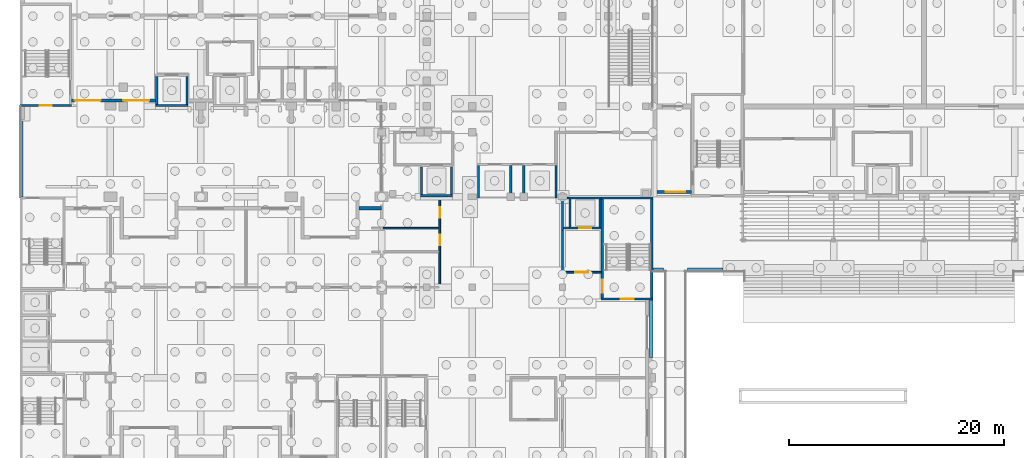
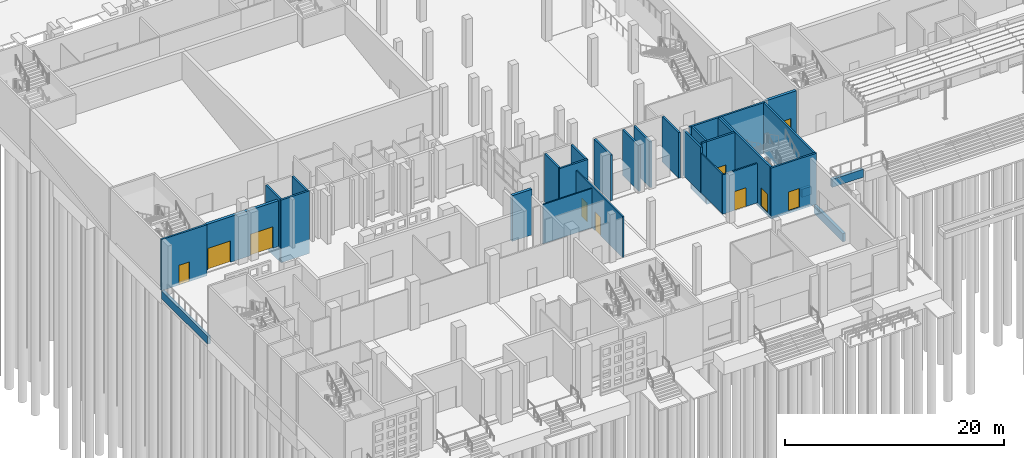
# One storey, part 45 of 129: 33 walls, 10 doors, 10 openings.
"""IFC4 building model written with IfcOpenShell, lengths in metres."""

from ifc_helpers import new_model, si_unit, direction, frame, frame_2d, origin, place, context, subcontext, project, spatial, rectangle, extrude, material, layer, layer_set, type_object, element, fill, save


model = new_model("IFC4")

# Units and contexts
model_context = context("Model", 3, precision=1e-05, world=origin(), true_north=direction((0.0, 1.0)))
body_context = subcontext(model_context, "Body", "Model", "MODEL_VIEW")
ifc_project = project(units=[si_unit("LENGTHUNIT", "METRE"), si_unit("AREAUNIT", "SQUARE_METRE"), si_unit("VOLUMEUNIT", "CUBIC_METRE"), si_unit("PLANEANGLEUNIT", "RADIAN"), si_unit("MASSUNIT", "GRAM", prefix="KILO")], contexts=[model_context])

# Site, building, storey
site_placement = place(None, origin())
site = spatial("IfcSite", under=ifc_project, at=site_placement, CompositionType="ELEMENT")
building_placement = place(site_placement, origin())
building = spatial("IfcBuilding", under=site, at=building_placement, Name="Kiln Court Media Centre", CompositionType="ELEMENT")
storey_placement = place(building_placement, origin())
storey = spatial("IfcBuildingStorey", under=building, at=storey_placement, Name="L00", CompositionType="ELEMENT", Elevation=0.0)

# Wall, opening, door
ifc_material_1 = material(Name="Concrete block masonry M7.5", Category="masonry")
ifc_layer_1 = layer(ifc_material_1, 0.14990234375)
ifc_layer_set_1 = layer_set([ifc_layer_1], Name="Block lobby wall 150 EI 120")
wall_type_1 = type_object("IfcWallType", Name="Block lobby wall 150 EI 120", PredefinedType="SOLIDWALL", material=ifc_layer_set_1)
wall_1_placement = place(storey_placement, frame((50.324951171875, 18.199951171875, 0.0), z_axis=(0.0, 0.0, 1.0), x_axis=(1.0, 0.0, 0.0)))
wall_1 = element("IfcWall", 1, at=wall_1_placement, inside=storey, type_object=wall_type_1, Name="L00 block lobby wall", PredefinedType="SOLIDWALL", context=body_context, shape_type="SweptSolid", body=[
    extrude(rectangle(XDim=3.675048828125, YDim=0.14990234375, at=frame_2d((1.83740234375, 0.0))), origin(), (0.0, 0.0, 1.0), 4.39990234375),
])
opening_1_placement = place(wall_1_placement, frame((1.27490234375, 0.0, 0.0)))
opening_1 = element("IfcOpeningElement", 2, at=opening_1_placement, cuts=wall_1, Name="Opening D0052", PredefinedType="OPENING", context=body_context, shape_type="SweptSolid", body=[
    extrude(rectangle(XDim=1.199951171875, YDim=2.10009765625, at=frame_2d((0.60009765625, 1.050048828125))), frame((0.0, 0.0849609375, 0.0), z_axis=(0.0, -1.0, 0.0), x_axis=(1.0, 0.0, 0.0)), (0.0, 0.0, 1.0), 0.169921875),
])
ifc_material_2 = material(Name="Steel S275", Category="steel")
door_type_1 = type_object("IfcDoorType", Name="Steel lobby door 1200 x 2100 FD120", OperationType="SINGLE_SWING_LEFT", PredefinedType="DOOR", material=ifc_material_2)
door_1_placement = place(opening_1_placement, origin())
door_1 = element("IfcDoor", 3, at=door_1_placement, inside=storey, type_object=door_type_1, Name="Stair 5 Lobby / Fire-fighting Lift Lobby", OperationType="SINGLE_SWING_RIGHT", OverallHeight=2.10009765625, OverallWidth=1.199951171875, PredefinedType="DOOR", context=body_context, shape_type="SweptSolid", body=[
    extrude(rectangle(XDim=1.199951171875, YDim=2.10009765625, at=frame_2d((0.60009765625, 1.050048828125))), frame((0.0, 0.02490234375, 0.0), z_axis=(0.0, -1.0, 0.0), x_axis=(1.0, 0.0, 0.0)), (0.0, 0.0, 1.0), 0.050048828125),
])
fill(opening_1, door_1)

# Walls
wall_2_placement = place(storey_placement, frame((50.39990234375, 18.27490234375, 0.0), z_axis=(0.0, 0.0, 1.0), x_axis=(0.0, 1.0, 0.0)))
element("IfcWall", 4, at=wall_2_placement, inside=storey, type_object=wall_type_1, Name="L00 block lobby wall", PredefinedType="SOLIDWALL", context=body_context, shape_type="SweptSolid", body=[
    extrude(rectangle(XDim=3.8251953125, YDim=0.14990234375, at=frame_2d((1.91259765625, 0.0))), origin(), (0.0, 0.0, 1.0), 4.39990234375),
])
ifc_material_3 = material(Name="Brick masonry facing leaf with RC backing", Category="masonry")
ifc_layer_2 = layer(ifc_material_3, 0.300048828125)
ifc_layer_set_2 = layer_set([ifc_layer_2], Name="Brick masonry cavity wall 300")
wall_type_2 = type_object("IfcWallType", Name="Brick masonry cavity wall 300", PredefinedType="SOLIDWALL", material=ifc_layer_set_2)
wall_3_placement = place(storey_placement, frame((31.5, 24.14990234375, 0.0), z_axis=(0.0, 0.0, 1.0), x_axis=(1.0, 0.0, 0.0)))
element("IfcWall", 5, at=wall_3_placement, inside=storey, type_object=wall_type_2, Name="V6A-N ground facade", PredefinedType="SOLIDWALL", context=body_context, shape_type="SweptSolid", body=[
    extrude(rectangle(XDim=2.10009765625, YDim=0.300048828125, at=frame_2d((1.050048828125, 0.0))), origin(), (0.0, 0.0, 1.0), 5.10009765625),
])
ifc_material_4 = material(Name="Concrete C30/37", Category="concrete")
ifc_layer_3 = layer(ifc_material_4, 0.300048828125)
ifc_layer_set_3 = layer_set([ifc_layer_3], Name="Concrete C30/37 plinth wall 300")
wall_type_3 = type_object("IfcWallType", Name="Concrete C30/37 plinth wall 300", PredefinedType="SOLIDWALL", material=ifc_layer_set_3)
wall_4_placement = place(storey_placement, frame((0.150390625, 25.199951171875, -1.199951171875), z_axis=(0.0, 0.0, 1.0), x_axis=(0.0, 1.0, 0.0)))
element("IfcWall", 6, at=wall_4_placement, inside=storey, type_object=wall_type_3, Name="L00-W-1164", PredefinedType="SOLIDWALL", context=body_context, shape_type="SweptSolid", body=[
    extrude(rectangle(XDim=8.400146484375, YDim=0.300048828125, at=frame_2d((4.2001953125, 0.0))), origin(), (0.0, 0.0, 1.0), 0.89990234375),
])
wall_5_placement = place(storey_placement, frame((58.64990234375, 15.60009765625, -1.199951171875), z_axis=(0.0, 0.0, 1.0), x_axis=(0.0, -1.0, 0.0)))
element("IfcWall", 7, at=wall_5_placement, inside=storey, type_object=wall_type_3, Name="L00-W-1173", PredefinedType="SOLIDWALL", context=body_context, shape_type="SweptSolid", body=[
    extrude(rectangle(XDim=5.300048828125, YDim=0.300048828125, at=frame_2d((2.64990234375, 0.0))), origin(), (0.0, 0.0, 1.0), 0.89990234375),
])
wall_6_placement = place(storey_placement, frame((59.800048828125, 18.449951171875, -1.199951171875), z_axis=(0.0, 0.0, 1.0), x_axis=(-1.0, 0.0, 0.0)))
element("IfcWall", 8, at=wall_6_placement, inside=storey, type_object=wall_type_3, Name="L00-W-1174", PredefinedType="SOLIDWALL", context=body_context, shape_type="SweptSolid", body=[
    extrude(rectangle(XDim=0.9990234375, YDim=0.300048828125, at=frame_2d((0.49951171875, 0.0))), origin(), (0.0, 0.0, 1.0), 0.89990234375),
])
wall_7_placement = place(storey_placement, frame((65.300048828125, 18.449951171875, -1.199951171875), z_axis=(0.0, 0.0, 1.0), x_axis=(-1.0, 0.0, 0.0)))
element("IfcWall", 9, at=wall_7_placement, inside=storey, type_object=wall_type_3, Name="L00-W-1175", PredefinedType="SOLIDWALL", context=body_context, shape_type="SweptSolid", body=[
    extrude(rectangle(XDim=3.300048828125, YDim=0.300048828125, at=frame_2d((1.64990234375, 0.0))), origin(), (0.0, 0.0, 1.0), 0.89990234375),
])

# Wall, opening, door
ifc_material_5 = material(Name="Concrete C40/50", Category="concrete")
ifc_layer_4 = layer(ifc_material_5, 0.300048828125)
ifc_layer_set_4 = layer_set([ifc_layer_4], Name="Concrete C40/50 board-marked facade wall 300")
wall_type_4 = type_object("IfcWallType", Name="Concrete C40/50 board-marked facade wall 300", PredefinedType="SOLIDWALL", material=ifc_layer_set_4)
wall_8_placement = place(storey_placement, frame((62.39990234375, 25.64990234375, 0.0), z_axis=(0.0, 0.0, 1.0), x_axis=(-1.0, 0.0, 0.0)))
wall_8 = element("IfcWall", 10, at=wall_8_placement, inside=storey, type_object=wall_type_4, Name="V1 S facade wall 4002", PredefinedType="SOLIDWALL", context=body_context, shape_type="SweptSolid", body=[
    extrude(rectangle(XDim=3.199951171875, YDim=0.300048828125, at=frame_2d((1.60009765625, 0.0))), origin(), (0.0, 0.0, 1.0), 5.10009765625),
])
opening_2_placement = place(wall_8_placement, frame((0.60009765625, 0.0, 0.0)))
opening_2 = element("IfcOpeningElement", 11, at=opening_2_placement, cuts=wall_8, Name="Opening D0759", PredefinedType="OPENING", context=body_context, shape_type="SweptSolid", body=[
    extrude(rectangle(XDim=1.800048828125, YDim=2.199951171875, at=frame_2d((0.89990234375, 1.10009765625))), frame((0.0, 0.159912109375, 0.0), z_axis=(0.0, -1.0, 0.0), x_axis=(1.0, 0.0, 0.0)), (0.0, 0.0, 1.0), 0.320068359375),
])
ifc_material_6 = material(Name="Steel ASTM A572 Gr 50", Category="steel")
door_type_2 = type_object("IfcDoorType", Name="Steel hall exit double door 1800x2200", OperationType="DOUBLE_DOOR_DOUBLE_SWING", PredefinedType="DOOR", material=ifc_material_6)
door_2_placement = place(opening_2_placement, origin())
door_2 = element("IfcDoor", 12, at=door_2_placement, inside=storey, type_object=door_type_2, Name="V1 S exit door 1", OperationType="SINGLE_SWING_LEFT", OverallHeight=2.199951171875, OverallWidth=1.800048828125, PredefinedType="DOOR", context=body_context, shape_type="SweptSolid", body=[
    extrude(rectangle(XDim=1.800048828125, YDim=2.199951171875, at=frame_2d((0.89990234375, 1.10009765625))), frame((0.0, 0.02490234375, 0.0), z_axis=(0.0, -1.0, 0.0), x_axis=(1.0, 0.0, 0.0)), (0.0, 0.0, 1.0), 0.050048828125),
])
fill(opening_2, door_2)

# Wall, openings, doors
wall_9_placement = place(storey_placement, frame((12.60009765625, 34.14990234375, 0.0), z_axis=(0.0, 0.0, 1.0), x_axis=(-1.0, 0.0, 0.0)))
wall_9 = element("IfcWall", 13, at=wall_9_placement, inside=storey, type_object=wall_type_4, Name="V4 S facade wall 4006", PredefinedType="SOLIDWALL", context=body_context, shape_type="SweptSolid", body=[
    extrude(rectangle(XDim=7.800048828125, YDim=0.300048828125, at=frame_2d((3.89990234375, 0.0))), origin(), (0.0, 0.0, 1.0), 5.10009765625),
])
opening_3_placement = place(wall_9_placement, frame((0.60009765625, 0.0, 0.0)))
opening_3 = element("IfcOpeningElement", 14, at=opening_3_placement, cuts=wall_9, Name="Opening D0772", PredefinedType="OPENING", context=body_context, shape_type="SweptSolid", body=[
    extrude(rectangle(XDim=2.39990234375, YDim=2.39990234375, at=frame_2d((1.199951171875, 1.199951171875))), frame((0.0, 0.159912109375, 0.0), z_axis=(0.0, -1.0, 0.0), x_axis=(1.0, 0.0, 0.0)), (0.0, 0.0, 1.0), 0.320068359375),
])
opening_4_placement = place(wall_9_placement, frame((5.10009765625, 0.0, 0.0)))
opening_4 = element("IfcOpeningElement", 15, at=opening_4_placement, cuts=wall_9, Name="Opening D0773", PredefinedType="OPENING", context=body_context, shape_type="SweptSolid", body=[
    extrude(rectangle(XDim=2.39990234375, YDim=2.39990234375, at=frame_2d((1.199951171875, 1.199951171875))), frame((0.0, 0.159912109375, 0.0), z_axis=(0.0, -1.0, 0.0), x_axis=(1.0, 0.0, 0.0)), (0.0, 0.0, 1.0), 0.320068359375),
])
ifc_material_7 = material(Name="Aluminium 6063-T6", Category="aluminium")
door_type_3 = type_object("IfcDoorType", Name="Aluminium glazed entrance door 2400x2400", OperationType="DOUBLE_DOOR_DOUBLE_SWING", PredefinedType="DOOR", material=ifc_material_7)
door_3_placement = place(opening_3_placement, origin())
door_3 = element("IfcDoor", 16, at=door_3_placement, inside=storey, type_object=door_type_3, Name="EN-12 entrance door 1", OperationType="DOUBLE_DOOR_SLIDING", OverallHeight=2.39990234375, OverallWidth=2.39990234375, PredefinedType="DOOR", context=body_context, shape_type="SweptSolid", body=[
    extrude(rectangle(XDim=2.39990234375, YDim=2.39990234375, at=frame_2d((1.199951171875, 1.199951171875))), frame((0.0, 0.02490234375, 0.0), z_axis=(0.0, -1.0, 0.0), x_axis=(1.0, 0.0, 0.0)), (0.0, 0.0, 1.0), 0.050048828125),
])
fill(opening_3, door_3)
door_4_placement = place(opening_4_placement, origin())
door_4 = element("IfcDoor", 17, at=door_4_placement, inside=storey, type_object=door_type_3, Name="EN-14 entrance door 1", OperationType="DOUBLE_DOOR_DOUBLE_SWING", OverallHeight=2.39990234375, OverallWidth=2.39990234375, PredefinedType="DOOR", context=body_context, shape_type="SweptSolid", body=[
    extrude(rectangle(XDim=2.39990234375, YDim=2.39990234375, at=frame_2d((1.199951171875, 1.199951171875))), frame((0.0, 0.02490234375, 0.0), z_axis=(0.0, -1.0, 0.0), x_axis=(1.0, 0.0, 0.0)), (0.0, 0.0, 1.0), 0.050048828125),
])
fill(opening_4, door_4)

# Walls
ifc_material_8 = material(Name="Concrete C40/50", Category="concrete")
ifc_layer_5 = layer(ifc_material_8, 0.199951171875)
ifc_layer_set_5 = layer_set([ifc_layer_5], Name="Concrete C40/50 lift shaft wall 200 EI 240")
wall_type_5 = type_object("IfcWallType", Name="Concrete C40/50 lift shaft wall 200 EI 240", PredefinedType="SHEAR", material=ifc_layer_set_5)
for number, where, z_axis, x_axis, name in (
    (18, (42.60009765625, 25.10009765625, 0.0), (0.0, 0.0, 1.0), (0.0, 1.0, 0.0), "L00 concrete c40/50 lift shaft wall"),
    (19, (45.60009765625, 25.10009765625, 0.0), (0.0, 0.0, 1.0), (0.0, 1.0, 0.0), "L00 concrete c40/50 lift shaft wall"),
    (20, (46.800048828125, 25.10009765625, 0.0), (0.0, 0.0, 1.0), (0.0, 1.0, 0.0), "L00 concrete c40/50 lift shaft wall"),
    (21, (49.800048828125, 25.10009765625, 0.0), (0.0, 0.0, 1.0), (0.0, 1.0, 0.0), "L00 concrete c40/50 lift shaft wall"),
):
    element("IfcWall", number, at=place(storey_placement, frame(where, z_axis=z_axis, x_axis=x_axis)), inside=storey, type_object=wall_type_5, Name=name, PredefinedType="SHEAR", context=body_context, shape_type="SweptSolid", body=[
        extrude(rectangle(XDim=3.0, YDim=0.199951171875, at=frame_2d((1.5, 0.0))), origin(), (0.0, 0.0, 1.0), 5.10009765625),
    ])
wall_10_placement = place(storey_placement, frame((50.39990234375, 22.10009765625, 0.0), z_axis=(0.0, 0.0, 1.0), x_axis=(0.0, 1.0, 0.0)))
element("IfcWall", 22, at=wall_10_placement, inside=storey, type_object=wall_type_5, Name="L00 concrete c40/50 lift shaft wall", PredefinedType="SHEAR", context=body_context, shape_type="SweptSolid", body=[
    extrude(rectangle(XDim=3.199951171875, YDim=0.199951171875, at=frame_2d((1.60009765625, 0.0))), origin(), (0.0, 0.0, 1.0), 5.10009765625),
])

# Wall, opening, door
ifc_material_9 = material(Name="Concrete C40/50", Category="concrete")
ifc_layer_6 = layer(ifc_material_9, 0.199951171875)
ifc_layer_set_6 = layer_set([ifc_layer_6], Name="Concrete C40/50 shear wall 200")
wall_type_6 = type_object("IfcWallType", Name="Concrete C40/50 shear wall 200", PredefinedType="SHEAR", material=ifc_layer_set_6)
wall_11_placement = place(storey_placement, frame((58.800048828125, 15.699951171875, -0.300048828125), z_axis=(0.0, 0.0, 1.0), x_axis=(-1.0, 0.0, 0.0)))
wall_11 = element("IfcWall", 23, at=wall_11_placement, inside=storey, type_object=wall_type_6, Name="L00-W-1016", PredefinedType="SHEAR", context=body_context, shape_type="SweptSolid", body=[
    extrude(rectangle(XDim=4.800048828125, YDim=0.199951171875, at=frame_2d((2.39990234375, 0.0))), origin(), (0.0, 0.0, 1.0), 5.699951171875),
])
opening_5_placement = place(wall_11_placement, frame((1.800048828125, 0.0, 0.300048828125)))
opening_5 = element("IfcOpeningElement", 24, at=opening_5_placement, cuts=wall_11, Name="Opening D0021", PredefinedType="OPENING", context=body_context, shape_type="SweptSolid", body=[
    extrude(rectangle(XDim=1.199951171875, YDim=2.10009765625, at=frame_2d((0.60009765625, 1.050048828125))), frame((0.0, 0.10986328125, 0.0), z_axis=(0.0, -1.0, 0.0), x_axis=(1.0, 0.0, 0.0)), (0.0, 0.0, 1.0), 0.219970703125),
])
ifc_material_10 = material(Name="Steel S275", Category="steel")
door_type_4 = type_object("IfcDoorType", Name="Steel stair door 1200 x 2100 FD180", OperationType="SINGLE_SWING_LEFT", PredefinedType="DOOR", material=ifc_material_10)
door_5_placement = place(opening_5_placement, origin())
door_5 = element("IfcDoor", 25, at=door_5_placement, inside=storey, type_object=door_type_4, Name="Main Entrance Lobby / Stair 5", OperationType="SINGLE_SWING_RIGHT", OverallHeight=2.10009765625, OverallWidth=1.199951171875, PredefinedType="DOOR", context=body_context, shape_type="SweptSolid", body=[
    extrude(rectangle(XDim=1.199951171875, YDim=2.10009765625, at=frame_2d((0.60009765625, 1.050048828125))), frame((0.0, 0.02490234375, 0.0), z_axis=(0.0, -1.0, 0.0), x_axis=(1.0, 0.0, 0.0)), (0.0, 0.0, 1.0), 0.050048828125),
])
fill(opening_5, door_5)

# Wall
wall_12_placement = place(storey_placement, frame((54.0, 25.10009765625, -0.300048828125), z_axis=(0.0, 0.0, 1.0), x_axis=(1.0, 0.0, 0.0)))
element("IfcWall", 26, at=wall_12_placement, inside=storey, type_object=wall_type_6, Name="L00-W-1017", PredefinedType="SHEAR", context=body_context, shape_type="SweptSolid", body=[
    extrude(rectangle(XDim=4.800048828125, YDim=0.199951171875, at=frame_2d((2.39990234375, 0.0))), origin(), (0.0, 0.0, 1.0), 5.699951171875),
])

# Wall, opening, door
wall_13_placement = place(storey_placement, frame((54.10009765625, 15.800048828125, -0.300048828125), z_axis=(0.0, 0.0, 1.0), x_axis=(0.0, 1.0, 0.0)))
wall_13 = element("IfcWall", 27, at=wall_13_placement, inside=storey, type_object=wall_type_6, Name="L00-W-1018", PredefinedType="SHEAR", context=body_context, shape_type="SweptSolid", body=[
    extrude(rectangle(XDim=9.199951171875, YDim=0.199951171875, at=frame_2d((4.60009765625, 0.0))), origin(), (0.0, 0.0, 1.0), 5.699951171875),
])
opening_6_placement = place(wall_13_placement, frame((0.5, 0.0, 0.300048828125)))
opening_6 = element("IfcOpeningElement", 28, at=opening_6_placement, cuts=wall_13, Name="Opening D0022", PredefinedType="OPENING", context=body_context, shape_type="SweptSolid", body=[
    extrude(rectangle(XDim=1.199951171875, YDim=2.10009765625, at=frame_2d((0.60009765625, 1.050048828125))), frame((0.0, 0.10986328125, 0.0), z_axis=(0.0, -1.0, 0.0), x_axis=(1.0, 0.0, 0.0)), (0.0, 0.0, 1.0), 0.219970703125),
])
door_6_placement = place(opening_6_placement, origin())
door_6 = element("IfcDoor", 29, at=door_6_placement, inside=storey, type_object=door_type_4, Name="Stair 5 Lobby / Stair 5", OperationType="SINGLE_SWING_LEFT", OverallHeight=2.10009765625, OverallWidth=1.199951171875, PredefinedType="DOOR", context=body_context, shape_type="SweptSolid", body=[
    extrude(rectangle(XDim=1.199951171875, YDim=2.10009765625, at=frame_2d((0.60009765625, 1.050048828125))), frame((0.0, 0.02490234375, 0.0), z_axis=(0.0, -1.0, 0.0), x_axis=(1.0, 0.0, 0.0)), (0.0, 0.0, 1.0), 0.050048828125),
])
fill(opening_6, door_6)

# Wall
wall_14_placement = place(storey_placement, frame((58.699951171875, 25.0, -0.300048828125), z_axis=(0.0, 0.0, 1.0), x_axis=(0.0, -1.0, 0.0)))
element("IfcWall", 30, at=wall_14_placement, inside=storey, type_object=wall_type_6, Name="L00-W-1019", PredefinedType="SHEAR", context=body_context, shape_type="SweptSolid", body=[
    extrude(rectangle(XDim=9.199951171875, YDim=0.199951171875, at=frame_2d((4.60009765625, 0.0))), origin(), (0.0, 0.0, 1.0), 5.699951171875),
])

# Wall, opening, door
wall_15_placement = place(storey_placement, frame((4.800048828125, 33.699951171875, -0.300048828125), z_axis=(0.0, 0.0, 1.0), x_axis=(-1.0, 0.0, 0.0)))
wall_15 = element("IfcWall", 31, at=wall_15_placement, inside=storey, type_object=wall_type_6, Name="L00-W-1020", PredefinedType="SHEAR", context=body_context, shape_type="SweptSolid", body=[
    extrude(rectangle(XDim=4.799560546875, YDim=0.199951171875, at=frame_2d((2.39990234375, 0.0))), origin(), (0.0, 0.0, 1.0), 5.699951171875),
])
opening_7_placement = place(wall_15_placement, frame((1.85009765625, 0.0, 0.0)))
opening_7 = element("IfcOpeningElement", 32, at=opening_7_placement, cuts=wall_15, Name="Opening D0771", PredefinedType="OPENING", context=body_context, shape_type="SweptSolid", body=[
    extrude(rectangle(XDim=1.10009765625, YDim=2.199951171875, at=frame_2d((0.550048828125, 1.10009765625))), frame((0.0, 0.10986328125, 0.0), z_axis=(0.0, -1.0, 0.0), x_axis=(1.0, 0.0, 0.0)), (0.0, 0.0, 1.0), 0.219970703125),
])
ifc_material_11 = material(Name="Steel ASTM A572 Gr 50", Category="steel")
door_type_5 = type_object("IfcDoorType", Name="Steel hall exit door 1100x2200", OperationType="SINGLE_SWING_LEFT", PredefinedType="DOOR", material=ifc_material_11)
door_7_placement = place(opening_7_placement, origin())
door_7 = element("IfcDoor", 33, at=door_7_placement, inside=storey, type_object=door_type_5, Name="ST-06 exit door", OperationType="SLIDING_TO_LEFT", OverallHeight=2.199951171875, OverallWidth=1.10009765625, PredefinedType="DOOR", context=body_context, shape_type="SweptSolid", body=[
    extrude(rectangle(XDim=1.10009765625, YDim=2.199951171875, at=frame_2d((0.550048828125, 1.10009765625))), frame((0.0, 0.02490234375, 0.0), z_axis=(0.0, -1.0, 0.0), x_axis=(1.0, 0.0, 0.0)), (0.0, 0.0, 1.0), 0.050048828125),
])
fill(opening_7, door_7)

wall_16_placement = place(storey_placement, frame((54.0, 22.300048828125, -1.60009765625), z_axis=(0.0, 0.0, 1.0), x_axis=(-1.0, 0.0, 0.0)))
wall_16 = element("IfcWall", 34, at=wall_16_placement, inside=storey, type_object=wall_type_6, Name="L00-W-1078", PredefinedType="SHEAR", context=body_context, shape_type="SweptSolid", body=[
    extrude(rectangle(XDim=3.0, YDim=0.199951171875, at=frame_2d((1.5, 0.0))), origin(), (0.0, 0.0, 1.0), 7.0),
])
opening_8_placement = place(wall_16_placement, frame((0.949951171875, 0.0, 1.60009765625)))
opening_8 = element("IfcOpeningElement", 35, at=opening_8_placement, cuts=wall_16, Name="Opening LD004", PredefinedType="OPENING", context=body_context, shape_type="SweptSolid", body=[
    extrude(rectangle(XDim=1.10009765625, YDim=2.10009765625, at=frame_2d((0.550048828125, 1.050048828125))), frame((0.0, 0.10986328125, 0.0), z_axis=(0.0, -1.0, 0.0), x_axis=(1.0, 0.0, 0.0)), (0.0, 0.0, 1.0), 0.219970703125),
])
ifc_material_12 = material(Name="Stainless steel", Category="steel")
door_type_6 = type_object("IfcDoorType", Name="Firefighting lift landing door 1100 x 2100 FD120", OperationType="SLIDING_TO_LEFT", PredefinedType="DOOR", material=ifc_material_12)
door_8_placement = place(opening_8_placement, origin())
door_8 = element("IfcDoor", 36, at=door_8_placement, inside=storey, type_object=door_type_6, Name="LF-04 landing door L00", OperationType="SLIDING_TO_LEFT", OverallHeight=2.10009765625, OverallWidth=1.10009765625, PredefinedType="DOOR", context=body_context, shape_type="SweptSolid", body=[
    extrude(rectangle(XDim=1.10009765625, YDim=2.10009765625, at=frame_2d((0.550048828125, 1.050048828125))), frame((0.0, 0.02490234375, 0.0), z_axis=(0.0, -1.0, 0.0), x_axis=(1.0, 0.0, 0.0)), (0.0, 0.0, 1.0), 0.050048828125),
])
fill(opening_8, door_8)

# Walls
wall_17_placement = place(storey_placement, frame((51.0, 25.10009765625, -1.60009765625), z_axis=(0.0, 0.0, 1.0), x_axis=(1.0, 0.0, 0.0)))
element("IfcWall", 37, at=wall_17_placement, inside=storey, type_object=wall_type_6, Name="L00-W-1079", PredefinedType="SHEAR", context=body_context, shape_type="SweptSolid", body=[
    extrude(rectangle(XDim=3.0, YDim=0.199951171875, at=frame_2d((1.5, 0.0))), origin(), (0.0, 0.0, 1.0), 7.0),
])
for number, where, z_axis, x_axis, name in (
    (38, (51.10009765625, 22.39990234375, -1.60009765625), (0.0, 0.0, 1.0), (0.0, 1.0, 0.0), "L00-W-1080"),
    (39, (53.89990234375, 25.0, -1.60009765625), (0.0, 0.0, 1.0), (0.0, -1.0, 0.0), "L00-W-1081"),
):
    element("IfcWall", number, at=place(storey_placement, frame(where, z_axis=z_axis, x_axis=x_axis)), inside=storey, type_object=wall_type_6, Name=name, PredefinedType="SHEAR", context=body_context, shape_type="SweptSolid", body=[
        extrude(rectangle(XDim=2.60009765625, YDim=0.199951171875, at=frame_2d((1.300048828125, 0.0))), origin(), (0.0, 0.0, 1.0), 7.0),
    ])
wall_18_placement = place(storey_placement, frame((15.60009765625, 33.699951171875, -1.60009765625), z_axis=(0.0, 0.0, 1.0), x_axis=(-1.0, 0.0, 0.0)))
element("IfcWall", 40, at=wall_18_placement, inside=storey, type_object=wall_type_6, Name="L00-W-1082", PredefinedType="SHEAR", context=body_context, shape_type="SweptSolid", body=[
    extrude(rectangle(XDim=3.0, YDim=0.199951171875, at=frame_2d((1.5, 0.0))), origin(), (0.0, 0.0, 1.0), 7.0),
])
for number, where, z_axis, x_axis, name in (
    (41, (12.699951171875, 33.800048828125, -1.60009765625), (0.0, 0.0, 1.0), (0.0, 1.0, 0.0), "L00-W-1084"),
    (42, (15.5, 36.39990234375, -1.60009765625), (0.0, 0.0, 1.0), (0.0, -1.0, 0.0), "L00-W-1085"),
):
    element("IfcWall", number, at=place(storey_placement, frame(where, z_axis=z_axis, x_axis=x_axis)), inside=storey, type_object=wall_type_6, Name=name, PredefinedType="SHEAR", context=body_context, shape_type="SweptSolid", body=[
        extrude(rectangle(XDim=2.599853515625, YDim=0.199951171875, at=frame_2d((1.2998046875, 0.0))), origin(), (0.0, 0.0, 1.0), 7.0),
    ])
wall_19_placement = place(storey_placement, frame((40.199951171875, 25.300048828125, -1.60009765625), z_axis=(0.0, 0.0, 1.0), x_axis=(-1.0, 0.0, 0.0)))
element("IfcWall", 43, at=wall_19_placement, inside=storey, type_object=wall_type_6, Name="L00-W-1106", PredefinedType="SHEAR", context=body_context, shape_type="SweptSolid", body=[
    extrude(rectangle(XDim=3.0, YDim=0.199951171875, at=frame_2d((1.5, 0.0))), origin(), (0.0, 0.0, 1.0), 7.0),
])
for number, where, z_axis, x_axis, name in (
    (44, (37.300048828125, 25.39990234375, -1.60009765625), (0.0, 0.0, 1.0), (0.0, 1.0, 0.0), "L00-W-1108"),
    (45, (40.10009765625, 28.0, -1.60009765625), (0.0, 0.0, 1.0), (0.0, -1.0, 0.0), "L00-W-1109"),
):
    element("IfcWall", number, at=place(storey_placement, frame(where, z_axis=z_axis, x_axis=x_axis)), inside=storey, type_object=wall_type_6, Name=name, PredefinedType="SHEAR", context=body_context, shape_type="SweptSolid", body=[
        extrude(rectangle(XDim=2.60009765625, YDim=0.199951171875, at=frame_2d((1.300048828125, 0.0))), origin(), (0.0, 0.0, 1.0), 7.0),
    ])
wall_20_placement = place(storey_placement, frame((51.0, 22.300048828125, -0.300048828125), z_axis=(0.0, 0.0, 1.0), x_axis=(-1.0, 0.0, 0.0)))
element("IfcWall", 46, at=wall_20_placement, inside=storey, type_object=wall_type_6, Name="L00-W-1160", PredefinedType="SHEAR", context=body_context, shape_type="SweptSolid", body=[
    extrude(rectangle(XDim=0.5, YDim=0.199951171875, at=frame_2d((0.25, 0.0))), origin(), (0.0, 0.0, 1.0), 5.699951171875),
])
wall_21_placement = place(storey_placement, frame((50.800048828125, 25.10009765625, -0.300048828125), z_axis=(0.0, 0.0, 1.0), x_axis=(1.0, 0.0, 0.0)))
element("IfcWall", 47, at=wall_21_placement, inside=storey, type_object=wall_type_6, Name="L00-W-1161", PredefinedType="SHEAR", context=body_context, shape_type="SweptSolid", body=[
    extrude(rectangle(XDim=0.199951171875, YDim=0.199951171875, at=frame_2d((0.10009765625, 0.0))), origin(), (0.0, 0.0, 1.0), 5.699951171875),
])

# Wall, openings, doors
ifc_material_13 = material(Name="Gypsum plasterboard", Category="gypsum")
ifc_layer_7 = layer(ifc_material_13, 0.14990234375)
ifc_layer_set_7 = layer_set([ifc_layer_7], Name="Gypsum corridor partition 150 EI 60")
wall_type_7 = type_object("IfcWallType", Name="Gypsum corridor partition 150 EI 60", PredefinedType="PARTITIONING", material=ifc_layer_set_7)
wall_22_placement = place(storey_placement, frame((39.0, 16.72509765625, 0.0), z_axis=(0.0, 0.0, 1.0), x_axis=(0.0, 1.0, 0.0)))
wall_22 = element("IfcWall", 48, at=wall_22_placement, inside=storey, type_object=wall_type_7, Name="L00 gypsum corridor partition", PredefinedType="PARTITIONING", context=body_context, shape_type="SweptSolid", body=[
    extrude(rectangle(XDim=8.474853515625, YDim=0.14990234375, at=frame_2d((4.2373046875, 0.0))), origin(), (0.0, 0.0, 1.0), 4.60009765625),
])
opening_9_placement = place(wall_22_placement, frame((3.97509765625, 0.0, 0.0)))
opening_9 = element("IfcOpeningElement", 49, at=opening_9_placement, cuts=wall_22, Name="Opening D0067", PredefinedType="OPENING", context=body_context, shape_type="SweptSolid", body=[
    extrude(rectangle(XDim=1.0, YDim=2.10009765625, at=frame_2d((0.5, 1.050048828125))), frame((0.0, 0.0849609375, 0.0), z_axis=(0.0, -1.0, 0.0), x_axis=(1.0, 0.0, 0.0)), (0.0, 0.0, 1.0), 0.169921875),
])
opening_10_placement = place(wall_22_placement, frame((6.52490234375, 0.0, 0.0)))
opening_10 = element("IfcOpeningElement", 50, at=opening_10_placement, cuts=wall_22, Name="Opening D0068", PredefinedType="OPENING", context=body_context, shape_type="SweptSolid", body=[
    extrude(rectangle(XDim=1.0, YDim=2.10009765625, at=frame_2d((0.5, 1.050048828125))), frame((0.0, 0.0849609375, 0.0), z_axis=(0.0, -1.0, 0.0), x_axis=(1.0, 0.0, 0.0)), (0.0, 0.0, 1.0), 0.169921875),
])
ifc_material_14 = material(Name="Steel S275", Category="steel")
door_type_7 = type_object("IfcDoorType", Name="Steel accessible door 1000 x 2100 FD30S", OperationType="SINGLE_SWING_LEFT", PredefinedType="DOOR", material=ifc_material_14)
door_9_placement = place(opening_10_placement, origin())
door_9 = element("IfcDoor", 51, at=door_9_placement, inside=storey, type_object=door_type_7, Name="Toilet Lobby / Accessible WC", OperationType="SINGLE_SWING_RIGHT", OverallHeight=2.10009765625, OverallWidth=1.0, PredefinedType="DOOR", context=body_context, shape_type="SweptSolid", body=[
    extrude(rectangle(XDim=1.0, YDim=2.10009765625, at=frame_2d((0.5, 1.050048828125))), frame((0.0, 0.02490234375, 0.0), z_axis=(0.0, -1.0, 0.0), x_axis=(1.0, 0.0, 0.0)), (0.0, 0.0, 1.0), 0.050048828125),
])
fill(opening_10, door_9)
ifc_material_15 = material(Name="Steel S275", Category="steel")
door_type_8 = type_object("IfcDoorType", Name="Steel corridor door 1000 x 2100 FD30S", OperationType="SINGLE_SWING_LEFT", PredefinedType="DOOR", material=ifc_material_15)
door_10_placement = place(opening_9_placement, origin())
door_10 = element("IfcDoor", 52, at=door_10_placement, inside=storey, type_object=door_type_8, Name="Toilet Lobby / Men's WC", OperationType="SINGLE_SWING_RIGHT", OverallHeight=2.10009765625, OverallWidth=1.0, PredefinedType="DOOR", context=body_context, shape_type="SweptSolid", body=[
    extrude(rectangle(XDim=1.0, YDim=2.10009765625, at=frame_2d((0.5, 1.050048828125))), frame((0.0, 0.02490234375, 0.0), z_axis=(0.0, -1.0, 0.0), x_axis=(1.0, 0.0, 0.0)), (0.0, 0.0, 1.0), 0.050048828125),
])
fill(opening_9, door_10)

# Wall
ifc_material_16 = material(Name="Gypsum plasterboard", Category="gypsum")
ifc_layer_8 = layer(ifc_material_16, 0.125)
ifc_layer_set_8 = layer_set([ifc_layer_8], Name="Gypsum wet-area partition 125")
wall_type_8 = type_object("IfcWallType", Name="Gypsum wet-area partition 125", PredefinedType="PARTITIONING", material=ifc_layer_set_8)
wall_23_placement = place(storey_placement, frame((33.72509765625, 22.300048828125, 0.0), z_axis=(0.0, 0.0, 1.0), x_axis=(1.0, 0.0, 0.0)))
element("IfcWall", 53, at=wall_23_placement, inside=storey, type_object=wall_type_8, Name="L00 gypsum wet-area partition", PredefinedType="PARTITIONING", context=body_context, shape_type="SweptSolid", body=[
    extrude(rectangle(XDim=5.199951171875, YDim=0.125, at=frame_2d((2.60009765625, 0.0))), origin(), (0.0, 0.0, 1.0), 4.39990234375),
])

save(model, "model.ifc")
